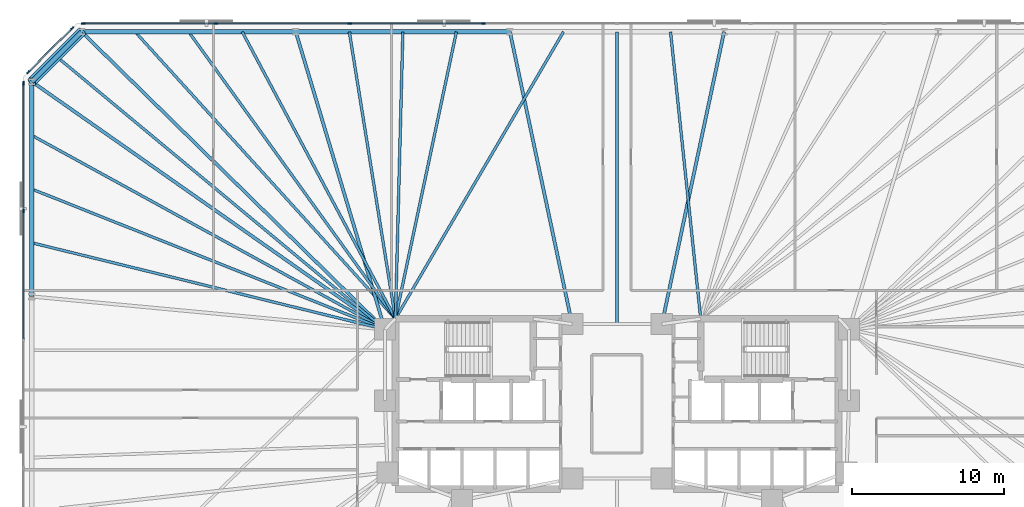
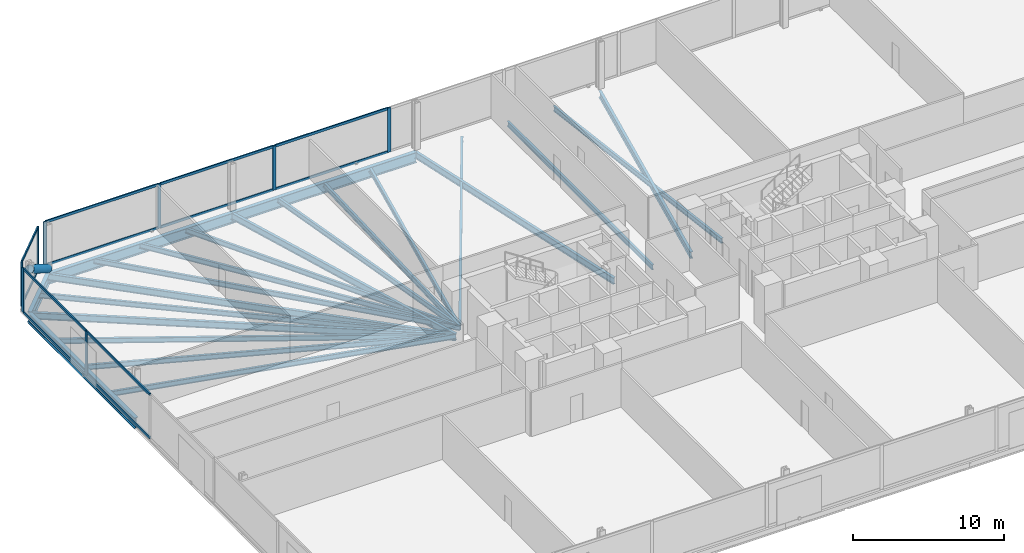
# One storey, part 8 of 17: 22 beams, 21 members, 3 elements without a shape of their own.
"""IFC4 building model written with IfcOpenShell, lengths in metres."""

from ifc_helpers import new_model, si_unit, direction, frame, origin, origin_2d, place, context, subcontext, project, spatial, rectangle, hollow_circle, i_section, extrude, material, material_profile, profile_set, type_object, element, aggregate, save


model = new_model("IFC4")

# Units and contexts
model_context = context("Model", 3, precision=1e-05, world=origin(), true_north=direction((0.0, 1.0)))
body_context = subcontext(model_context, "Body", "Model", "MODEL_VIEW")
ifc_project = project(units=[si_unit("LENGTHUNIT", "METRE"), si_unit("AREAUNIT", "SQUARE_METRE"), si_unit("VOLUMEUNIT", "CUBIC_METRE"), si_unit("PLANEANGLEUNIT", "RADIAN"), si_unit("MASSUNIT", "GRAM", prefix="KILO")], contexts=[model_context])

# Site, building, storey
site_placement = place(None, origin())
site = spatial("IfcSite", under=ifc_project, at=site_placement, CompositionType="ELEMENT")
building_placement = place(site_placement, origin())
building = spatial("IfcBuilding", under=site, at=building_placement, Name="Menara Jurai Vektor", CompositionType="ELEMENT")
storey_placement = place(building_placement, frame((0.0, 0.0, 18.0)))
storey = spatial("IfcBuildingStorey", under=building, at=storey_placement, Name="L03", CompositionType="ELEMENT", Elevation=18.0)

# Curtain wall, members
ifc_material_1 = material(Name="Anodised Pale Aluminium & Low-E Double Glazing", Category="aluminium")
curtain_wall_type = type_object("IfcCurtainWallType", Name="CW-BLK1", PredefinedType="NOTDEFINED", material=ifc_material_1)
curtain_wall_1_placement = place(storey_placement, origin())
curtain_wall_1 = element("IfcCurtainWall", 1, at=curtain_wall_1_placement, inside=storey, type_object=curtain_wall_type, Name="Unitised Curtain Wall L03 F05", PredefinedType="NOTDEFINED")
ifc_material_2 = material(Name="Anodised Pale Aluminium Mullion", Category="aluminium")
ifc_material_profile_1 = material_profile(ifc_material_2, rectangle(XDim=0.094970703125, YDim=0.239990234375, at=origin_2d()), Name="ALU MUL 95x240")
ifc_profile_set_1 = profile_set([ifc_material_profile_1], Name="Anodised Pale Aluminium Mullion")
member_type_1 = type_object("IfcMemberType", Name="CW-BLK1-MUL", PredefinedType="MULLION", material=ifc_profile_set_1)
member_1_placement = place(storey_placement, frame((-8.780029296875, 25.0, 0.0), z_axis=(0.0, 0.0, 1.0), x_axis=(0.0, -1.0, 0.0)))
member_1 = element("IfcMember", 2, at=member_1_placement, type_object=member_type_1, Name="CW-01 mullion 6", PredefinedType="MULLION", context=body_context, shape_type="SweptSolid", body=[
    extrude(rectangle(XDim=0.094970703125, YDim=0.239990234375, at=origin_2d()), origin(), (0.0, 0.0, 1.0), 3.574951171875),
])
member_2_placement = place(storey_placement, frame((-17.56005859375, 25.0, 0.0), z_axis=(0.0, 0.0, 1.0), x_axis=(0.0, -1.0, 0.0)))
member_2 = element("IfcMember", 3, at=member_2_placement, type_object=member_type_1, Name="CW-01 mullion 7", PredefinedType="MULLION", context=body_context, shape_type="SweptSolid", body=[
    extrude(rectangle(XDim=0.094970703125, YDim=0.239990234375, at=origin_2d()), origin(), (0.0, 0.0, 1.0), 3.574951171875),
])
member_3_placement = place(storey_placement, frame((-26.340087890625, 25.0, 0.0), z_axis=(0.0, 0.0, 1.0), x_axis=(0.0, -1.0, 0.0)))
member_3 = element("IfcMember", 4, at=member_3_placement, type_object=member_type_1, Name="CW-01 mullion 8", PredefinedType="MULLION", context=body_context, shape_type="SweptSolid", body=[
    extrude(rectangle(XDim=0.094970703125, YDim=0.239990234375, at=origin_2d()), origin(), (0.0, 0.0, 1.0), 3.574951171875),
])
member_4_placement = place(storey_placement, frame((-35.072509765625, 25.0, 0.0), z_axis=(0.0, 0.0, 1.0), x_axis=(0.0, -1.0, 0.0)))
member_4 = element("IfcMember", 5, at=member_4_placement, type_object=member_type_1, Name="CW-01 mullion 9", PredefinedType="MULLION", context=body_context, shape_type="SweptSolid", body=[
    extrude(rectangle(XDim=0.094970703125, YDim=0.239990234375, at=origin_2d()), origin(), (0.0, 0.0, 1.0), 3.574951171875),
])

curtain_wall_2_placement = place(storey_placement, origin())
curtain_wall_2 = element("IfcCurtainWall", 6, at=curtain_wall_2_placement, inside=storey, type_object=curtain_wall_type, Name="Unitised Curtain Wall L03 F06", PredefinedType="NOTDEFINED")
member_5_placement = place(storey_placement, frame((-35.80224609375, 24.69775390625, 0.0), z_axis=(0.0, 0.0, 1.0), x_axis=(0.707106781187, -0.707106781187, 0.0)))
member_5 = element("IfcMember", 7, at=member_5_placement, type_object=member_type_1, Name="CW-01 mullion 1", PredefinedType="MULLION", context=body_context, shape_type="SweptSolid", body=[
    extrude(rectangle(XDim=0.094970703125, YDim=0.239990234375, at=origin_2d()), origin(), (0.0, 0.0, 1.0), 3.574951171875),
])
member_6_placement = place(storey_placement, frame((-38.69775390625, 21.80224609375, 0.0), z_axis=(0.0, 0.0, 1.0), x_axis=(0.707106781187, -0.707106781187, 0.0)))
member_6 = element("IfcMember", 8, at=member_6_placement, type_object=member_type_1, Name="CW-01 mullion 2", PredefinedType="MULLION", context=body_context, shape_type="SweptSolid", body=[
    extrude(rectangle(XDim=0.094970703125, YDim=0.239990234375, at=origin_2d()), origin(), (0.0, 0.0, 1.0), 3.574951171875),
])

curtain_wall_3_placement = place(storey_placement, origin())
curtain_wall_3 = element("IfcCurtainWall", 9, at=curtain_wall_3_placement, inside=storey, type_object=curtain_wall_type, Name="Unitised Curtain Wall L03 F07", PredefinedType="NOTDEFINED")
member_7_placement = place(storey_placement, frame((-39.0, 21.072509765625, 0.0), z_axis=(0.0, 0.0, 1.0), x_axis=(1.0, 0.0, 0.0)))
member_7 = element("IfcMember", 10, at=member_7_placement, type_object=member_type_1, Name="CW-01 mullion 1", PredefinedType="MULLION", context=body_context, shape_type="SweptSolid", body=[
    extrude(rectangle(XDim=0.094970703125, YDim=0.239990234375, at=origin_2d()), origin(), (0.0, 0.0, 1.0), 3.574951171875),
])
member_8_placement = place(storey_placement, frame((-39.0, 12.672119140625, 0.0), z_axis=(0.0, 0.0, 1.0), x_axis=(1.0, 0.0, 0.0)))
member_8 = element("IfcMember", 11, at=member_8_placement, type_object=member_type_1, Name="CW-01 mullion 2", PredefinedType="MULLION", context=body_context, shape_type="SweptSolid", body=[
    extrude(rectangle(XDim=0.094970703125, YDim=0.239990234375, at=origin_2d()), origin(), (0.0, 0.0, 1.0), 3.574951171875),
])

# Member
ifc_material_3 = material(Name="Anodised Pale Aluminium Transom", Category="aluminium")
ifc_material_profile_2 = material_profile(ifc_material_3, rectangle(XDim=0.094970703125, YDim=0.199951171875, at=origin_2d()), Name="ALU TRN 95x200")
ifc_profile_set_2 = profile_set([ifc_material_profile_2], Name="Anodised Pale Aluminium Transom")
member_type_2 = type_object("IfcMemberType", Name="CW-BLK1-TRN", PredefinedType="USERDEFINED", material=ifc_profile_set_2)
member_9_placement = place(storey_placement, frame((-8.827392578125, 25.0, 0.047607421875), z_axis=(-1.0, 0.0, 0.0), x_axis=(0.0, -1.0, 0.0)))
member_9 = element("IfcMember", 12, at=member_9_placement, type_object=member_type_2, Name="CW-01 transom 6.1", ObjectType="TRANSOM", PredefinedType="USERDEFINED", context=body_context, shape_type="SweptSolid", body=[
    extrude(rectangle(XDim=0.094970703125, YDim=0.199951171875, at=origin_2d()), origin(), (0.0, 0.0, 1.0), 8.68505859375),
])

member_10_placement = place(storey_placement, frame((-8.827392578125, 25.0, 3.527587890625), z_axis=(-1.0, 0.0, 0.0), x_axis=(0.0, -1.0, 0.0)))
member_10 = element("IfcMember", 13, at=member_10_placement, type_object=member_type_2, Name="CW-01 transom 6.2", ObjectType="TRANSOM", PredefinedType="USERDEFINED", context=body_context, shape_type="SweptSolid", body=[
    extrude(rectangle(XDim=0.094970703125, YDim=0.199951171875, at=origin_2d()), origin(), (0.0, 0.0, 1.0), 8.68505859375),
])

member_11_placement = place(storey_placement, frame((-17.607421875, 25.0, 0.047607421875), z_axis=(-1.0, 0.0, 0.0), x_axis=(0.0, -1.0, 0.0)))
member_11 = element("IfcMember", 14, at=member_11_placement, type_object=member_type_2, Name="CW-01 transom 7.1", ObjectType="TRANSOM", PredefinedType="USERDEFINED", context=body_context, shape_type="SweptSolid", body=[
    extrude(rectangle(XDim=0.094970703125, YDim=0.199951171875, at=origin_2d()), origin(), (0.0, 0.0, 1.0), 8.68505859375),
])

member_12_placement = place(storey_placement, frame((-17.607421875, 25.0, 3.527587890625), z_axis=(-1.0, 0.0, 0.0), x_axis=(0.0, -1.0, 0.0)))
member_12 = element("IfcMember", 15, at=member_12_placement, type_object=member_type_2, Name="CW-01 transom 7.2", ObjectType="TRANSOM", PredefinedType="USERDEFINED", context=body_context, shape_type="SweptSolid", body=[
    extrude(rectangle(XDim=0.094970703125, YDim=0.199951171875, at=origin_2d()), origin(), (0.0, 0.0, 1.0), 8.68505859375),
])

member_13_placement = place(storey_placement, frame((-26.387451171875, 25.0, 0.047607421875), z_axis=(-1.0, 0.0, 0.0), x_axis=(0.0, -1.0, 0.0)))
member_13 = element("IfcMember", 16, at=member_13_placement, type_object=member_type_2, Name="CW-01 transom 8.1", ObjectType="TRANSOM", PredefinedType="USERDEFINED", context=body_context, shape_type="SweptSolid", body=[
    extrude(rectangle(XDim=0.094970703125, YDim=0.199951171875, at=origin_2d()), origin(), (0.0, 0.0, 1.0), 8.637451171875),
])

member_14_placement = place(storey_placement, frame((-26.387451171875, 25.0, 3.527587890625), z_axis=(-1.0, 0.0, 0.0), x_axis=(0.0, -1.0, 0.0)))
member_14 = element("IfcMember", 17, at=member_14_placement, type_object=member_type_2, Name="CW-01 transom 8.2", ObjectType="TRANSOM", PredefinedType="USERDEFINED", context=body_context, shape_type="SweptSolid", body=[
    extrude(rectangle(XDim=0.094970703125, YDim=0.199951171875, at=origin_2d()), origin(), (0.0, 0.0, 1.0), 8.637451171875),
])

aggregate(curtain_wall_1, [member_1, member_2, member_3, member_4, member_9, member_10, member_11, member_12, member_13, member_14])

member_15_placement = place(storey_placement, frame((-35.8359375, 24.6640625, 0.047607421875), z_axis=(-0.707106781187, -0.707106781187, 0.0), x_axis=(0.707106781187, -0.707106781187, 0.0)))
member_15 = element("IfcMember", 18, at=member_15_placement, type_object=member_type_2, Name="CW-01 transom 1.1", ObjectType="TRANSOM", PredefinedType="USERDEFINED", context=body_context, shape_type="SweptSolid", body=[
    extrude(rectangle(XDim=0.094970703125, YDim=0.199951171875, at=origin_2d()), origin(), (0.0, 0.0, 1.0), 3.99951171875),
])

member_16_placement = place(storey_placement, frame((-35.8359375, 24.6640625, 3.527587890625), z_axis=(-0.707106781187, -0.707106781187, 0.0), x_axis=(0.707106781187, -0.707106781187, 0.0)))
member_16 = element("IfcMember", 19, at=member_16_placement, type_object=member_type_2, Name="CW-01 transom 1.2", ObjectType="TRANSOM", PredefinedType="USERDEFINED", context=body_context, shape_type="SweptSolid", body=[
    extrude(rectangle(XDim=0.094970703125, YDim=0.199951171875, at=origin_2d()), origin(), (0.0, 0.0, 1.0), 3.99951171875),
])

aggregate(curtain_wall_2, [member_5, member_6, member_15, member_16])

member_17_placement = place(storey_placement, frame((-39.0, 21.02490234375, 0.047607421875), z_axis=(0.0, -1.0, 0.0), x_axis=(1.0, 0.0, 0.0)))
member_17 = element("IfcMember", 20, at=member_17_placement, type_object=member_type_2, Name="CW-01 transom 1.1", ObjectType="TRANSOM", PredefinedType="USERDEFINED", context=body_context, shape_type="SweptSolid", body=[
    extrude(rectangle(XDim=0.094970703125, YDim=0.199951171875, at=origin_2d()), origin(), (0.0, 0.0, 1.0), 8.305419921875),
])

member_18_placement = place(storey_placement, frame((-39.0, 21.02490234375, 3.527587890625), z_axis=(0.0, -1.0, 0.0), x_axis=(1.0, 0.0, 0.0)))
member_18 = element("IfcMember", 21, at=member_18_placement, type_object=member_type_2, Name="CW-01 transom 1.2", ObjectType="TRANSOM", PredefinedType="USERDEFINED", context=body_context, shape_type="SweptSolid", body=[
    extrude(rectangle(XDim=0.094970703125, YDim=0.199951171875, at=origin_2d()), origin(), (0.0, 0.0, 1.0), 8.305419921875),
])

member_19_placement = place(storey_placement, frame((-39.0, 12.62451171875, 0.047607421875), z_axis=(0.0, -1.0, 0.0), x_axis=(1.0, 0.0, 0.0)))
member_19 = element("IfcMember", 22, at=member_19_placement, type_object=member_type_2, Name="CW-01 transom 2.1", ObjectType="TRANSOM", PredefinedType="USERDEFINED", context=body_context, shape_type="SweptSolid", body=[
    extrude(rectangle(XDim=0.094970703125, YDim=0.199951171875, at=origin_2d()), origin(), (0.0, 0.0, 1.0), 8.35302734375),
])

member_20_placement = place(storey_placement, frame((-39.0, 12.62451171875, 3.527587890625), z_axis=(0.0, -1.0, 0.0), x_axis=(1.0, 0.0, 0.0)))
member_20 = element("IfcMember", 23, at=member_20_placement, type_object=member_type_2, Name="CW-01 transom 2.2", ObjectType="TRANSOM", PredefinedType="USERDEFINED", context=body_context, shape_type="SweptSolid", body=[
    extrude(rectangle(XDim=0.094970703125, YDim=0.199951171875, at=origin_2d()), origin(), (0.0, 0.0, 1.0), 8.35302734375),
])

aggregate(curtain_wall_3, [member_7, member_8, member_17, member_18, member_19, member_20])

# Beams
ifc_material_4 = material(Name="Steel S355", Category="steel")
ifc_material_profile_3 = material_profile(ifc_material_4, i_section(OverallWidth=0.2109375, OverallDepth=0.5390625, WebThickness=0.011962890625, FlangeThickness=0.01904296875, FilletRadius=0.012939453125, at=origin_2d()), Name="UKB 533x210x109")
ifc_profile_set_3 = profile_set([ifc_material_profile_3], Name="Steel S355")
beam_type_1 = type_object("IfcBeamType", Name="STR-BM-533", PredefinedType="BEAM", material=ifc_profile_set_3)
for number, where, z_axis, x_axis, name in (
    (24, (7.03564453125, 24.449951171875, -0.494384765625), (-0.2081367579, -0.978099734184, 0.0), (0.978099734184, -0.2081367579, 0.0), "Radial Floor Girder L03-N3"),
    (25, (-7.03564453125, 24.449951171875, -0.494384765625), (0.2081367579, -0.978099734184, 0.0), (0.978099734184, 0.2081367579, 0.0), "Radial Floor Girder L03-N4"),
):
    element("IfcBeam", number, at=place(storey_placement, frame(where, z_axis=z_axis, x_axis=x_axis)), inside=storey, type_object=beam_type_1, Name=name, PredefinedType="BEAM", context=body_context, shape_type="SweptSolid", body=[
        extrude(i_section(OverallWidth=0.2109375, OverallDepth=0.5390625, WebThickness=0.011962890625, FlangeThickness=0.01904296875, FilletRadius=0.012939453125, at=origin_2d()), origin(), (0.0, 0.0, 1.0), 19.6298828125),
    ])
beam_1_placement = place(storey_placement, frame((-21.106689453125, 24.449951171875, -0.494384765625), z_axis=(0.286973617166, -0.957938486047, 0.0), x_axis=(0.957938486047, 0.286973617166, 0.0)))
element("IfcBeam", 26, at=beam_1_placement, inside=storey, type_object=beam_type_1, Name="Radial Floor Girder L03-N5", PredefinedType="BEAM", context=body_context, shape_type="SweptSolid", body=[
    extrude(i_section(OverallWidth=0.2109375, OverallDepth=0.5390625, WebThickness=0.011962890625, FlangeThickness=0.01904296875, FilletRadius=0.012939453125, at=origin_2d()), origin(), (0.0, 0.0, 1.0), 20.408447265625),
])
beam_2_placement = place(storey_placement, frame((-35.177734375, 24.449951171875, -0.494384765625), z_axis=(0.713839032855, -0.700309813706, 0.0), x_axis=(0.700309813706, 0.713839032855, 0.0)))
element("IfcBeam", 27, at=beam_2_placement, inside=storey, type_object=beam_type_1, Name="Radial Floor Girder L03-N6", PredefinedType="BEAM", context=body_context, shape_type="SweptSolid", body=[
    extrude(i_section(OverallWidth=0.2109375, OverallDepth=0.5390625, WebThickness=0.011962890625, FlangeThickness=0.01904296875, FilletRadius=0.012939453125, at=origin_2d()), origin(), (0.0, 0.0, 1.0), 27.916259765625),
])
beam_3_placement = place(storey_placement, frame((-38.449951171875, 21.177734375, -0.494384765625), z_axis=(0.818603732445, -0.574358711283, 0.0), x_axis=(0.574358711283, 0.818603732445, 0.0)))
element("IfcBeam", 28, at=beam_3_placement, inside=storey, type_object=beam_type_1, Name="Radial Floor Girder L03-W1", PredefinedType="BEAM", context=body_context, shape_type="SweptSolid", body=[
    extrude(i_section(OverallWidth=0.2109375, OverallDepth=0.5390625, WebThickness=0.011962890625, FlangeThickness=0.01904296875, FilletRadius=0.012939453125, at=origin_2d()), origin(), (0.0, 0.0, 1.0), 28.3408203125),
])

# Member
ifc_material_5 = material(Name="Steel S460", Category="steel")
ifc_material_profile_4 = material_profile(ifc_material_5, hollow_circle(Radius=0.304931640625, WallThickness=0.02490234375, at=origin_2d()), Name="CHS 610x25")
ifc_profile_set_4 = profile_set([ifc_material_profile_4], Name="Steel S460")
member_type_3 = type_object("IfcMemberType", Name="STR-BR-610", PredefinedType="BRACE", material=ifc_profile_set_4)
member_21_placement = place(storey_placement, frame((-35.177734375, 24.449951171875, 0.14990234375), z_axis=(-0.588928100616, -0.588928100616, 0.55346850372), x_axis=(0.707106781187, -0.707106781187, 0.0)))
element("IfcMember", 29, at=member_21_placement, inside=storey, type_object=member_type_3, Name="Exoskeleton Corner Brace L03-3", PredefinedType="BRACE", context=body_context, shape_type="SweptSolid", body=[
    extrude(hollow_circle(Radius=0.304931640625, WallThickness=0.02490234375, at=origin_2d()), origin(), (0.0, 0.0, 1.0), 5.55615234375),
])

# Beams
ifc_material_profile_5 = material_profile(ifc_material_4, i_section(OverallWidth=0.178955078125, OverallDepth=0.408935546875, WebThickness=0.009033203125, FlangeThickness=0.013916015625, FilletRadius=0.010009765625, at=origin_2d()), Name="UKB 406x178x67")
ifc_profile_set_5 = profile_set([ifc_material_profile_5], Name="Steel S355")
beam_type_2 = type_object("IfcBeamType", Name="STR-JS-406", PredefinedType="JOIST", material=ifc_profile_set_5)
beam_4_placement = place(storey_placement, frame((3.517822265625, 24.449951171875, -0.429443359375), z_axis=(0.104579513969, -0.994516528399, 0.0), x_axis=(0.994516528399, 0.104579513969, 0.0)))
element("IfcBeam", 30, at=beam_4_placement, inside=storey, type_object=beam_type_2, Name="Radial Secondary Floor Joist L03-JS22", PredefinedType="JOIST", context=body_context, shape_type="SweptSolid", body=[
    extrude(i_section(OverallWidth=0.178955078125, OverallDepth=0.408935546875, WebThickness=0.009033203125, FlangeThickness=0.013916015625, FilletRadius=0.010009765625, at=origin_2d()), origin(), (0.0, 0.0, 1.0), 18.953857421875),
])
beam_5_placement = place(storey_placement, frame((0.0, 24.449951171875, -0.429443359375), z_axis=(0.0, -1.0, 0.0), x_axis=(1.0, 0.0, 0.0)))
element("IfcBeam", 31, at=beam_5_placement, inside=storey, type_object=beam_type_2, Name="Radial Secondary Floor Joist L03-JS23", PredefinedType="JOIST", context=body_context, shape_type="SweptSolid", body=[
    extrude(i_section(OverallWidth=0.178955078125, OverallDepth=0.408935546875, WebThickness=0.009033203125, FlangeThickness=0.013916015625, FilletRadius=0.010009765625, at=origin_2d()), origin(), (0.0, 0.0, 1.0), 19.199951171875),
])
beam_6_placement = place(storey_placement, frame((-3.517822265625, 24.449951171875, -0.429443359375), z_axis=(-0.505457909797, -0.862851262631, 0.0), x_axis=(0.862851262631, -0.505457909797, 0.0)))
element("IfcBeam", 32, at=beam_6_placement, inside=storey, type_object=beam_type_2, Name="Radial Secondary Floor Joist L03-JS24", PredefinedType="JOIST", context=body_context, shape_type="SweptSolid", body=[
    extrude(i_section(OverallWidth=0.178955078125, OverallDepth=0.408935546875, WebThickness=0.009033203125, FlangeThickness=0.013916015625, FilletRadius=0.010009765625, at=origin_2d()), origin(), (0.0, 0.0, 1.0), 21.845947265625),
])
beam_7_placement = place(storey_placement, frame((-10.55322265625, 24.449951171875, -0.429443359375), z_axis=(-0.207920423262, -0.978145744555, 0.0), x_axis=(0.978145744555, -0.207920423262, 0.0)))
element("IfcBeam", 33, at=beam_7_placement, inside=storey, type_object=beam_type_2, Name="Radial Secondary Floor Joist L03-JS25", PredefinedType="JOIST", context=body_context, shape_type="SweptSolid", body=[
    extrude(i_section(OverallWidth=0.178955078125, OverallDepth=0.408935546875, WebThickness=0.009033203125, FlangeThickness=0.013916015625, FilletRadius=0.010009765625, at=origin_2d()), origin(), (0.0, 0.0, 1.0), 19.27099609375),
])
beam_8_placement = place(storey_placement, frame((-14.071044921875, 24.449951171875, -0.429443359375), z_axis=(-0.02593384597, -0.999663661255, 0.0), x_axis=(0.999663661255, -0.02593384597, 0.0)))
element("IfcBeam", 34, at=beam_8_placement, inside=storey, type_object=beam_type_2, Name="Radial Secondary Floor Joist L03-JS26", PredefinedType="JOIST", context=body_context, shape_type="SweptSolid", body=[
    extrude(i_section(OverallWidth=0.178955078125, OverallDepth=0.408935546875, WebThickness=0.009033203125, FlangeThickness=0.013916015625, FilletRadius=0.010009765625, at=origin_2d()), origin(), (0.0, 0.0, 1.0), 18.856201171875),
])
beam_9_placement = place(storey_placement, frame((-17.5888671875, 24.449951171875, -0.429443359375), z_axis=(0.158645817656, -0.987335558227, 0.0), x_axis=(0.987335558227, 0.158645817656, 0.0)))
element("IfcBeam", 35, at=beam_9_placement, inside=storey, type_object=beam_type_2, Name="Radial Secondary Floor Joist L03-JS27", PredefinedType="JOIST", context=body_context, shape_type="SweptSolid", body=[
    extrude(i_section(OverallWidth=0.178955078125, OverallDepth=0.408935546875, WebThickness=0.009033203125, FlangeThickness=0.013916015625, FilletRadius=0.010009765625, at=origin_2d()), origin(), (0.0, 0.0, 1.0), 19.091552734375),
])
beam_10_placement = place(storey_placement, frame((-24.62451171875, 24.449951171875, -0.429443359375), z_axis=(0.470996174599, -0.882135252392, 0.0), x_axis=(0.882135252392, 0.470996174599, 0.0)))
element("IfcBeam", 36, at=beam_10_placement, inside=storey, type_object=beam_type_2, Name="Radial Secondary Floor Joist L03-JS28", PredefinedType="JOIST", context=body_context, shape_type="SweptSolid", body=[
    extrude(i_section(OverallWidth=0.178955078125, OverallDepth=0.408935546875, WebThickness=0.009033203125, FlangeThickness=0.013916015625, FilletRadius=0.010009765625, at=origin_2d()), origin(), (0.0, 0.0, 1.0), 21.368408203125),
])
beam_11_placement = place(storey_placement, frame((-28.142333984375, 24.449951171875, -0.429443359375), z_axis=(0.584598948369, -0.811322420229, 0.0), x_axis=(0.811322420229, 0.584598948369, 0.0)))
element("IfcBeam", 37, at=beam_11_placement, inside=storey, type_object=beam_type_2, Name="Radial Secondary Floor Joist L03-JS29", PredefinedType="JOIST", context=body_context, shape_type="SweptSolid", body=[
    extrude(i_section(OverallWidth=0.178955078125, OverallDepth=0.408935546875, WebThickness=0.009033203125, FlangeThickness=0.013916015625, FilletRadius=0.010009765625, at=origin_2d()), origin(), (0.0, 0.0, 1.0), 23.2333984375),
])
beam_12_placement = place(storey_placement, frame((-31.659912109375, 24.449951171875, -0.429443359375), z_axis=(0.671889844346, -0.740651089964, 0.0), x_axis=(0.740651089964, 0.671889844346, 0.0)))
element("IfcBeam", 38, at=beam_12_placement, inside=storey, type_object=beam_type_2, Name="Radial Secondary Floor Joist L03-JS30", PredefinedType="JOIST", context=body_context, shape_type="SweptSolid", body=[
    extrude(i_section(OverallWidth=0.178955078125, OverallDepth=0.408935546875, WebThickness=0.009033203125, FlangeThickness=0.013916015625, FilletRadius=0.010009765625, at=origin_2d()), origin(), (0.0, 0.0, 1.0), 25.450439453125),
])
beam_13_placement = place(storey_placement, frame((-36.81396484375, 22.81396484375, -0.429443359375), z_axis=(0.769201173096, -0.639006694259, 0.0), x_axis=(0.639006694259, 0.769201173096, 0.0)))
element("IfcBeam", 39, at=beam_13_placement, inside=storey, type_object=beam_type_2, Name="Radial Secondary Floor Joist L03-JS31", PredefinedType="JOIST", context=body_context, shape_type="SweptSolid", body=[
    extrude(i_section(OverallWidth=0.178955078125, OverallDepth=0.408935546875, WebThickness=0.009033203125, FlangeThickness=0.013916015625, FilletRadius=0.010009765625, at=origin_2d()), origin(), (0.0, 0.0, 1.0), 28.0341796875),
])
beam_14_placement = place(storey_placement, frame((-38.449951171875, 17.648193359375, -0.429443359375), z_axis=(0.87640219057, -0.481579900291, 0.0), x_axis=(0.481579900291, 0.87640219057, 0.0)))
element("IfcBeam", 40, at=beam_14_placement, inside=storey, type_object=beam_type_2, Name="Radial Secondary Floor Joist L03-JS32", PredefinedType="JOIST", context=body_context, shape_type="SweptSolid", body=[
    extrude(i_section(OverallWidth=0.178955078125, OverallDepth=0.408935546875, WebThickness=0.009033203125, FlangeThickness=0.013916015625, FilletRadius=0.010009765625, at=origin_2d()), origin(), (0.0, 0.0, 1.0), 26.471923828125),
])
beam_15_placement = place(storey_placement, frame((-38.449951171875, 14.118408203125, -0.429443359375), z_axis=(0.929323400723, -0.369266864027, 0.0), x_axis=(0.369266864027, 0.929323400723, 0.0)))
element("IfcBeam", 41, at=beam_15_placement, inside=storey, type_object=beam_type_2, Name="Radial Secondary Floor Joist L03-JS33", PredefinedType="JOIST", context=body_context, shape_type="SweptSolid", body=[
    extrude(i_section(OverallWidth=0.178955078125, OverallDepth=0.408935546875, WebThickness=0.009033203125, FlangeThickness=0.013916015625, FilletRadius=0.010009765625, at=origin_2d()), origin(), (0.0, 0.0, 1.0), 24.96435546875),
])
beam_16_placement = place(storey_placement, frame((-38.449951171875, 10.5888671875, -0.429443359375), z_axis=(0.971226234641, -0.238158772976, 0.0), x_axis=(0.238158772976, 0.971226234641, 0.0)))
element("IfcBeam", 42, at=beam_16_placement, inside=storey, type_object=beam_type_2, Name="Radial Secondary Floor Joist L03-JS34", PredefinedType="JOIST", context=body_context, shape_type="SweptSolid", body=[
    extrude(i_section(OverallWidth=0.178955078125, OverallDepth=0.408935546875, WebThickness=0.009033203125, FlangeThickness=0.013916015625, FilletRadius=0.010009765625, at=origin_2d()), origin(), (0.0, 0.0, 1.0), 23.88720703125),
])
ifc_material_profile_6 = material_profile(ifc_material_5, i_section(OverallWidth=0.2939453125, OverallDepth=0.85107421875, WebThickness=0.01611328125, FlangeThickness=0.027099609375, FilletRadius=0.01806640625, at=origin_2d()), Name="UKB 838x292x226")
ifc_profile_set_6 = profile_set([ifc_material_profile_6], Name="Steel S460")
beam_type_3 = type_object("IfcBeamType", Name="STR-SP-838", PredefinedType="SPANDREL", material=ifc_profile_set_6)
for number, where, z_axis, x_axis, name in (
    (43, (-7.03564453125, 24.449951171875, -0.650390625), (-1.0, 0.0, 0.0), (0.0, -1.0, 0.0), "Exoskeleton Spandrel Beam L03-14"),
    (44, (-21.106689453125, 24.449951171875, -0.650390625), (-1.0, 0.0, 0.0), (0.0, -1.0, 0.0), "Exoskeleton Spandrel Beam L03-15"),
):
    element("IfcBeam", number, at=place(storey_placement, frame(where, z_axis=z_axis, x_axis=x_axis)), inside=storey, type_object=beam_type_3, Name=name, PredefinedType="SPANDREL", context=body_context, shape_type="SweptSolid", body=[
        extrude(i_section(OverallWidth=0.2939453125, OverallDepth=0.85107421875, WebThickness=0.01611328125, FlangeThickness=0.027099609375, FilletRadius=0.01806640625, at=origin_2d()), origin(), (0.0, 0.0, 1.0), 14.071044921875),
    ])
beam_17_placement = place(storey_placement, frame((-35.177734375, 24.449951171875, -0.650390625), z_axis=(-0.707106781187, -0.707106781187, 0.0), x_axis=(0.707106781187, -0.707106781187, 0.0)))
element("IfcBeam", 45, at=beam_17_placement, inside=storey, type_object=beam_type_3, Name="Exoskeleton Spandrel Beam L03-16", PredefinedType="SPANDREL", context=body_context, shape_type="SweptSolid", body=[
    extrude(i_section(OverallWidth=0.2939453125, OverallDepth=0.85107421875, WebThickness=0.01611328125, FlangeThickness=0.027099609375, FilletRadius=0.01806640625, at=origin_2d()), origin(), (0.0, 0.0, 1.0), 4.627685546875),
])
beam_18_placement = place(storey_placement, frame((-38.449951171875, 21.177734375, -0.650390625), z_axis=(0.0, -1.0, 0.0), x_axis=(1.0, 0.0, 0.0)))
element("IfcBeam", 46, at=beam_18_placement, inside=storey, type_object=beam_type_3, Name="Exoskeleton Spandrel Beam L03-17", PredefinedType="SPANDREL", context=body_context, shape_type="SweptSolid", body=[
    extrude(i_section(OverallWidth=0.2939453125, OverallDepth=0.85107421875, WebThickness=0.01611328125, FlangeThickness=0.027099609375, FilletRadius=0.01806640625, at=origin_2d()), origin(), (0.0, 0.0, 1.0), 14.118408203125),
])

save(model, "model.ifc")
